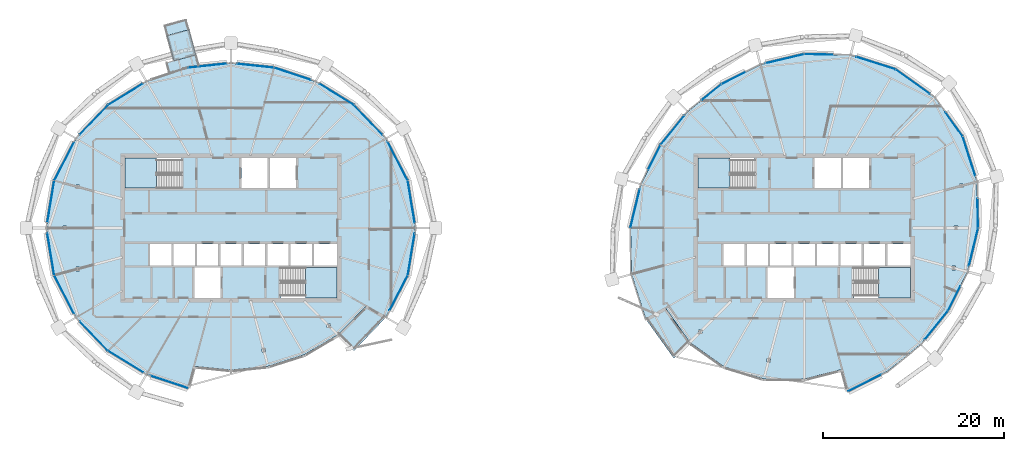
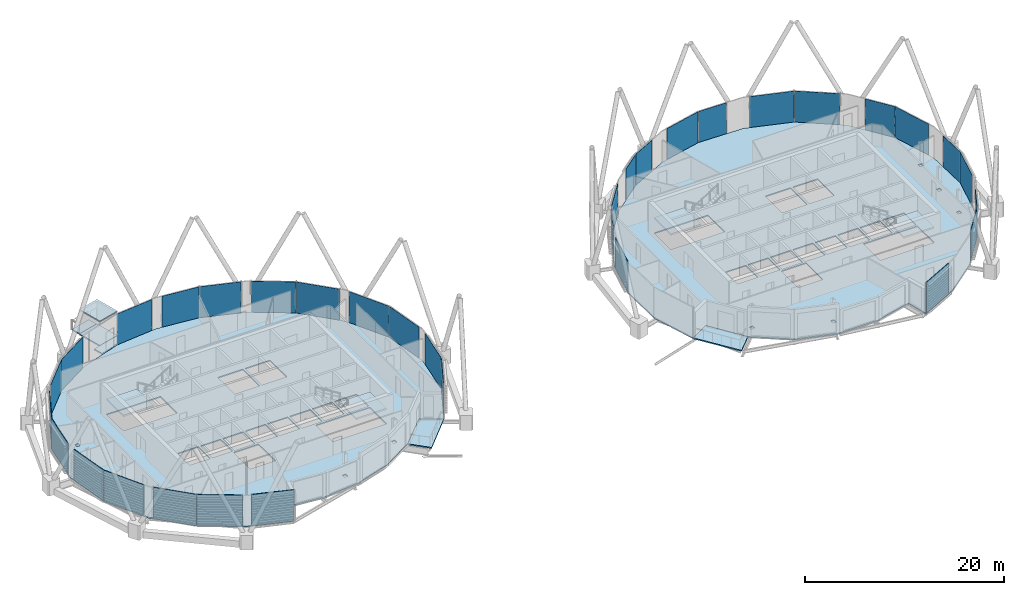
# One storey, part 18 of 32: 34 plates, 12 slabs, 6 elements without a shape of their own.
"""IFC4 building model written with IfcOpenShell, lengths in metres."""

import ifcopenshell
import ifcopenshell.guid

model = None  # the IFC model being written
_history = None  # IfcOwnerHistory: only IFC2X3 demands one
_inside = {}  # id of a spatial element -> (the spatial element, [elements in it])
_under = {}  # id of a project, library or spatial element -> (it, [spatial elements below it])
_declared = {}  # id of a project -> (the project, [libraries it declares])
_typed = {}  # id of a type object -> (the type object, [elements of that type])
_made_of = {}  # id of a material, layer set ... -> (it, [elements and type objects made of it])


def new_model(schema):
    """Start an empty IFC model of exactly this schema.

    Asked for "IFC4X3", IfcOpenShell would pick the latest addendum, in which some entities
    have other attributes; the version numbers below select the first issue.
    IFC2X3 requires an IfcOwnerHistory on every rooted entity: one is made here for all.
    """
    global model, _history
    if schema == "IFC4X3":
        model = ifcopenshell.file(schema_version=(4, 3, 0, 0))
    else:
        model = ifcopenshell.file(schema=schema)
    _inside.clear()
    _under.clear()
    _declared.clear()
    _typed.clear()
    _made_of.clear()
    _history = None
    if model.schema == "IFC2X3":
        org = make("IfcOrganization", Name="unknown")
        user = make(
            "IfcPersonAndOrganization",
            ThePerson=make("IfcPerson", FamilyName="unknown"),
            TheOrganization=org,
        )
        app = make(
            "IfcApplication",
            ApplicationDeveloper=org,
            Version="unknown",
            ApplicationFullName="unknown",
            ApplicationIdentifier="unknown",
        )
        _history = make(
            "IfcOwnerHistory",
            OwningUser=user,
            OwningApplication=app,
            ChangeAction="ADDED",
            CreationDate=0,
        )
    return model


def make(cls, **values):
    """One entity of the class cls with the attributes given. An attribute that is None is left unset."""
    return model.create_entity(
        cls, **{name: value for name, value in values.items() if value is not None}
    )


def rooted(cls, **values):
    """An entity with a GlobalId (a new one), such as an element, a storey or a relation."""
    return make(cls, GlobalId=ifcopenshell.guid.new(), OwnerHistory=_history, **values)


def si_unit(unit_type, name, prefix=None):
    """IfcSIUnit, for example si_unit("LENGTHUNIT", "METRE", prefix="MILLI")."""
    return make("IfcSIUnit", UnitType=unit_type, Prefix=prefix, Name=name)


def assignment(units):
    """IfcUnitAssignment: the units of a project."""
    return None if units is None else make("IfcUnitAssignment", Units=units)


def point(xyz):
    """IfcCartesianPoint."""
    return None if xyz is None else make("IfcCartesianPoint", Coordinates=xyz)


def direction(xyz):
    """IfcDirection."""
    return None if xyz is None else make("IfcDirection", DirectionRatios=xyz)


def frame(location, z_axis=None, x_axis=None):
    """IfcAxis2Placement3D, a coordinate frame: its origin and axes. An axis left out is left unset."""
    return make(
        "IfcAxis2Placement3D",
        Location=point(location),
        Axis=direction(z_axis),
        RefDirection=direction(x_axis),
    )


def frame_2d(location, x_axis=None):
    """IfcAxis2Placement2D, a coordinate frame in the plane: its origin and x axis."""
    return make(
        "IfcAxis2Placement2D", Location=point(location), RefDirection=direction(x_axis)
    )


def origin():
    """The frame at (0, 0, 0) with its axes left unset."""
    return frame((0.0, 0.0, 0.0))


def origin_2d():
    """The frame at (0, 0) in the plane with its x axis left unset."""
    return frame_2d((0.0, 0.0))


def place(relative_to, where):
    """IfcLocalPlacement: puts the frame where relative to a parent placement (None: the world)."""
    return make(
        "IfcLocalPlacement", PlacementRelTo=relative_to, RelativePlacement=where
    )


def context(
    kind, dimensions, precision=None, world=None, true_north=None, identifier=None
):
    """IfcGeometricRepresentationContext, for example the 3D "Model" context."""
    return make(
        "IfcGeometricRepresentationContext",
        ContextIdentifier=identifier,
        ContextType=kind,
        CoordinateSpaceDimension=dimensions,
        Precision=precision,
        WorldCoordinateSystem=world,
        TrueNorth=true_north,
    )


def subcontext(parent, identifier, kind, view, scale=None):
    """IfcGeometricRepresentationSubContext, for example "Body" below "Model"."""
    return make(
        "IfcGeometricRepresentationSubContext",
        ContextIdentifier=identifier,
        ContextType=kind,
        ParentContext=parent,
        TargetScale=scale,
        TargetView=view,
    )


def project(units=None, contexts=None):
    """IfcProject with its units and contexts."""
    return rooted(
        "IfcProject",
        Name="project",
        RepresentationContexts=contexts,
        UnitsInContext=assignment(units),
    )


def spatial(cls, under=None, at=None, **own):
    """A site, building, storey or space (cls), placed at a placement, below another one or the project."""
    s = rooted(cls, ObjectPlacement=at, **own)
    if under is not None:
        _under.setdefault(under.id(), (under, []))[1].append(s)
    return s


def polyline(points):
    """IfcPolyline through the points."""
    return make("IfcPolyline", Points=[point(p) for p in points])


def profile(cls, at=None, kind="AREA", **sizes):
    """A parametric profile (cls). Its sizes go by their IFC names, for example OverallWidth=200.0."""
    return make(cls, ProfileType=kind, Position=at, **sizes)


def rectangle(**sizes):
    """IfcRectangleProfileDef."""
    return profile("IfcRectangleProfileDef", **sizes)


def outline(outer, holes=None, kind="AREA"):
    """IfcArbitraryClosedProfileDef: a profile drawn as a closed curve; with holes, ...WithVoids."""
    if holes is None:
        return make("IfcArbitraryClosedProfileDef", ProfileType=kind, OuterCurve=outer)
    return make(
        "IfcArbitraryProfileDefWithVoids",
        ProfileType=kind,
        OuterCurve=outer,
        InnerCurves=holes,
    )


def extrude(swept, where, along, depth):
    """IfcExtrudedAreaSolid: the profile swept, set in the frame where, extruded along a direction by depth."""
    return make(
        "IfcExtrudedAreaSolid",
        SweptArea=swept,
        Position=where,
        ExtrudedDirection=direction(along),
        Depth=depth,
    )


def shape(context_of_items, identifier, shape_type, items):
    """IfcShapeRepresentation: the items that make up one representation, for example the "Body"."""
    return make(
        "IfcShapeRepresentation",
        ContextOfItems=context_of_items,
        RepresentationIdentifier=identifier,
        RepresentationType=shape_type,
        Items=items,
    )


def material(Name=None, Category=None):
    """IfcMaterial."""
    return make("IfcMaterial", Name=Name, Category=Category)


def layer(
    of_material, thickness, ventilated=None, Name=None, Category=None, Priority=None
):
    """IfcMaterialLayer: one layer of a wall or slab, of a material (None: an air gap)."""
    return make(
        "IfcMaterialLayer",
        Material=of_material,
        LayerThickness=thickness,
        IsVentilated=ventilated,
        Name=Name,
        Category=Category,
        Priority=Priority,
    )


def layer_set(layers, Name=None):
    """IfcMaterialLayerSet."""
    return make("IfcMaterialLayerSet", MaterialLayers=layers, LayerSetName=Name)


def made_of(thing, what):
    """Note that an element or type object is made of a material, layer set ...; save() writes the relation."""
    if what is not None:
        _made_of.setdefault(what.id(), (what, []))[1].append(thing)
    return thing


def type_object(cls, material=None, **own):
    """A type object (cls), such as IfcWallType, which elements share."""
    return made_of(rooted(cls, **own), material)


def element(
    cls,
    number,
    at=None,
    inside=None,
    cuts=None,
    type_object=None,
    material=None,
    context=None,
    identifier="Body",
    shape_type=None,
    held_by="IfcProductDefinitionShape",
    body=None,
    shapes=None,
    **own,
):
    """One element of the class cls, such as IfcWall. Its Tag is "e" and its number.

    at: its placement. inside: the storey or other place that contains it. cuts: it is an
    opening in that element (IfcRelVoidsElement). A single representation is given by context,
    identifier, shape_type and body (its items); several are given by shapes. held_by: the class
    of the entity that holds the representations. save() writes the other relations.
    """
    e = rooted(cls, Tag="e%d" % number, ObjectPlacement=at, **own)
    if body is not None:
        shapes = [shape(context, identifier, shape_type, body)]
    if shapes is not None:
        e.Representation = make(held_by, Representations=shapes)
    if inside is not None:
        _inside.setdefault(inside.id(), (inside, []))[1].append(e)
    if cuts is not None:
        rooted(
            "IfcRelVoidsElement", RelatingBuildingElement=cuts, RelatedOpeningElement=e
        )
    if type_object is not None:
        _typed.setdefault(type_object.id(), (type_object, []))[1].append(e)
    return made_of(e, material)


def aggregate(whole, parts):
    """IfcRelAggregates: a whole, such as a stair, and the parts it consists of."""
    return rooted("IfcRelAggregates", RelatingObject=whole, RelatedObjects=parts)


def save(model, path):
    """Write the relations noted so far, then the file.

    IfcRelAggregates (storeys below a building ...), IfcRelContainedInSpatialStructure (elements
    in a storey), IfcRelDefinesByType, IfcRelAssociatesMaterial and IfcRelDeclares: one each for
    every whole, place, type object, material and project.
    """
    for whole, parts in _under.values():
        aggregate(whole, parts)
    for where, things in _inside.values():
        rooted(
            "IfcRelContainedInSpatialStructure",
            RelatedElements=things,
            RelatingStructure=where,
        )
    for kind, things in _typed.values():
        rooted("IfcRelDefinesByType", RelatedObjects=things, RelatingType=kind)
    for what, things in _made_of.values():
        rooted("IfcRelAssociatesMaterial", RelatedObjects=things, RelatingMaterial=what)
    for by, libraries in _declared.values():
        rooted("IfcRelDeclares", RelatingContext=by, RelatedDefinitions=libraries)
    model.write(path)


model = new_model("IFC4")

# Units and contexts
model_context = context("Model", 3, precision=1e-05, world=origin(), true_north=direction((0.0, 1.0)))
body_context = subcontext(model_context, "Body", "Model", "MODEL_VIEW")
ifc_project = project(units=[si_unit("LENGTHUNIT", "METRE"), si_unit("AREAUNIT", "SQUARE_METRE"), si_unit("VOLUMEUNIT", "CUBIC_METRE"), si_unit("PLANEANGLEUNIT", "RADIAN"), si_unit("MASSUNIT", "GRAM", prefix="KILO")], contexts=[model_context])

# Site, building, storey
site_placement = place(None, origin())
site = spatial("IfcSite", under=ifc_project, at=site_placement, CompositionType="ELEMENT")
building_placement = place(site_placement, origin())
building = spatial("IfcBuilding", under=site, at=building_placement, Name="Rimbun Link Towers", CompositionType="ELEMENT")
storey_placement = place(building_placement, frame((0.0, 0.0, 233.300048828125)))
storey = spatial("IfcBuildingStorey", under=building, at=storey_placement, Name="L57", CompositionType="ELEMENT", Elevation=233.300048828125)

# Slabs
ifc_material_1 = material(Name="Insulated metal floor panel on steel frame", Category="steel")
ifc_layer_1 = layer(ifc_material_1, 0.159912109375)
ifc_layer_set_1 = layer_set([ifc_layer_1], Name="CAPSULE balcony panel 160")
slab_type_1 = type_object("IfcSlabType", Name="CAPSULE balcony panel 160", PredefinedType="FLOOR", material=ifc_layer_set_1)
slab_1_placement = place(storey_placement, frame((0.0, 0.0, -0.16015625)))
element("IfcSlab", 1, at=slab_1_placement, inside=storey, type_object=slab_type_1, Name="CAPSULE D571.01 balcony floor", PredefinedType="FLOOR", context=body_context, shape_type="SweptSolid", body=[
    extrude(outline(polyline([(-36.75, 23.0146484375), (-39.06640625, 22.38623046875), (-38.7783203125, 21.32470703125), (-36.462158203125, 21.953125), (-36.75, 23.0146484375)])), origin(), (0.0, 0.0, 1.0), 0.16015625),
])
slab_2_placement = place(storey_placement, frame((0.0, 0.0, -0.16015625)))
element("IfcSlab", 2, at=slab_2_placement, inside=storey, type_object=slab_type_1, Name="CAPSULE D571 gallery floor", PredefinedType="FLOOR", context=body_context, shape_type="SweptSolid", body=[
    extrude(outline(polyline([(-38.2822265625, 17.251953125), (-36.915283203125, 17.704833984375), (-36.930908203125, 17.752197265625), (-36.5341796875, 17.8837890625), (-35.34033203125, 18.009521484375), (-35.654541015625, 19.167236328125), (-38.871337890625, 18.294677734375), (-38.576171875, 17.20703125), (-38.2978515625, 17.29931640625), (-38.2822265625, 17.251953125)])), origin(), (0.0, 0.0, 1.0), 0.16015625),
])
ifc_material_2 = material(Name="Insulated metal floor panel on steel frame", Category="steel")
ifc_layer_2 = layer(ifc_material_2, 0.159912109375)
ifc_layer_set_2 = layer_set([ifc_layer_2], Name="CAPSULE floor panel 160")
slab_type_2 = type_object("IfcSlabType", Name="CAPSULE floor panel 160", PredefinedType="FLOOR", material=ifc_layer_set_2)
slab_3_placement = place(storey_placement, frame((0.0, 0.0, -0.16015625)))
element("IfcSlab", 3, at=slab_3_placement, inside=storey, type_object=slab_type_2, Name="CAPSULE D571.01 floor panel", PredefinedType="FLOOR", context=body_context, shape_type="SweptSolid", body=[
    extrude(outline(polyline([(-36.413818359375, 21.966064453125), (-38.82666015625, 21.3115234375), (-38.0673828125, 18.5126953125), (-35.654541015625, 19.167236328125), (-36.413818359375, 21.966064453125)])), origin(), (0.0, 0.0, 1.0), 0.16015625),
])
ifc_material_3 = material(Name="Insulated metal roof panel with terracotta fascia", Category="masonry")
ifc_layer_3 = layer(ifc_material_3, 0.14990234375)
ifc_layer_set_3 = layer_set([ifc_layer_3], Name="CAPSULE roof panel 150")
slab_type_3 = type_object("IfcSlabType", Name="CAPSULE roof panel 150", PredefinedType="ROOF", material=ifc_layer_set_3)
slab_4_placement = place(storey_placement, frame((0.0, 0.0, 2.849853515625)))
element("IfcSlab", 4, at=slab_4_placement, inside=storey, type_object=slab_type_3, Name="CAPSULE D571.01 roof panel", PredefinedType="ROOF", context=body_context, shape_type="SweptSolid", body=[
    extrude(outline(polyline([(-36.413818359375, 21.966064453125), (-38.82666015625, 21.3115234375), (-38.0673828125, 18.5126953125), (-35.654541015625, 19.167236328125), (-36.413818359375, 21.966064453125)])), origin(), (0.0, 0.0, 1.0), 0.150146484375),
])
ifc_material_4 = material(Name="Concrete C35/45", Category="concrete")
ifc_layer_4 = layer(ifc_material_4, 0.139892578125)
ifc_layer_set_4 = layer_set([ifc_layer_4], Name="COMPOSITE FLOOR 140")
slab_type_4 = type_object("IfcSlabType", Name="COMPOSITE FLOOR 140", PredefinedType="FLOOR", material=ifc_layer_set_4)
slab_5_placement = place(storey_placement, frame((0.0, 0.0, -0.14013671875)))
element("IfcSlab", 5, at=slab_5_placement, inside=storey, type_object=slab_type_4, Name="Floor slab T1 L57", PredefinedType="FLOOR", context=body_context, shape_type="SweptSolid", body=[
    extrude(outline(polyline([(-41.108642578125, -16.209716796875), (-45.353515625, -13.603515625), (-48.901611328125, -9.902587890625), (-51.313232421875, -5.241943359375), (-52.17529296875, 0.0), (-51.313232421875, 5.241943359375), (-48.901611328125, 9.902587890625), (-45.353515625, 13.603515625), (-41.108642578125, 16.209716796875), (-36.50244140625, 17.736328125), (-31.75, 18.23681640625), (-26.99755859375, 17.736328125), (-22.391357421875, 16.209716796875), (-18.146484375, 13.603515625), (-14.598388671875, 9.902587890625), (-12.186767578125, 5.241943359375), (-11.32470703125, 0.0), (-12.186767578125, -5.241943359375), (-14.598388671875, -9.902587890625), (-16.76318359375, -8.652587890625), (-19.914306640625, -11.835693359375), (-23.641357421875, -14.044677734375), (-27.64453125, -15.321533203125), (-31.75, -15.73681640625), (-35.85546875, -15.321533203125), (-36.50244140625, -17.736328125), (-41.108642578125, -16.209716796875)]), holes=[polyline([(-32.89990234375, -7.75), (-32.89990234375, -4.39990234375), (-35.800048828125, -4.39990234375), (-35.800048828125, -7.75), (-32.89990234375, -7.75)]), polyline([(-48.52392578125, -4.744873046875), (-48.52392578125, -4.351318359375), (-48.9228515625, -4.351318359375), (-48.9228515625, -4.744873046875), (-48.52392578125, -4.744873046875)]), polyline([(-38.361083984375, -4.14990234375), (-38.361083984375, -1.75), (-40.70556640625, -1.75), (-40.70556640625, -4.14990234375), (-38.361083984375, -4.14990234375)]), polyline([(-35.7666015625, -4.14990234375), (-35.7666015625, -1.75), (-38.111083984375, -1.75), (-38.111083984375, -4.14990234375), (-35.7666015625, -4.14990234375)]), polyline([(-33.172119140625, -4.14990234375), (-33.172119140625, -1.75), (-35.5166015625, -1.75), (-35.5166015625, -4.14990234375), (-33.172119140625, -4.14990234375)]), polyline([(-30.577880859375, -4.14990234375), (-30.577880859375, -1.75), (-32.922119140625, -1.75), (-32.922119140625, -4.14990234375), (-30.577880859375, -4.14990234375)]), polyline([(-49.9482421875, -0.19677734375), (-49.9482421875, 0.19677734375), (-50.34716796875, 0.19677734375), (-50.34716796875, -0.19677734375), (-49.9482421875, -0.19677734375)]), polyline([(-48.9228515625, 4.351318359375), (-48.52392578125, 4.351318359375), (-48.52392578125, 4.744873046875), (-48.9228515625, 4.744873046875), (-48.9228515625, 4.351318359375)]), polyline([(-43.5, 4.39990234375), (-37.260009765625, 4.39990234375), (-37.260009765625, 7.75), (-43.5, 7.75), (-43.5, 4.39990234375)]), polyline([(-27.924072265625, -13.730712890625), (-27.924072265625, -13.337158203125), (-28.322998046875, -13.337158203125), (-28.322998046875, -13.730712890625), (-27.924072265625, -13.730712890625)]), polyline([(-20.7060546875, -11.041259765625), (-20.7060546875, -10.647705078125), (-21.10498046875, -10.647705078125), (-21.10498046875, -11.041259765625), (-20.7060546875, -11.041259765625)]), polyline([(-20.0, -7.75), (-20.0, -4.39990234375), (-26.239990234375, -4.39990234375), (-26.239990234375, -7.75), (-20.0, -7.75)]), polyline([(-27.9833984375, -4.14990234375), (-27.9833984375, -1.75), (-30.327880859375, -1.75), (-30.327880859375, -4.14990234375), (-27.9833984375, -4.14990234375)]), polyline([(-25.388916015625, -4.14990234375), (-25.388916015625, -1.75), (-27.7333984375, -1.75), (-27.7333984375, -4.14990234375), (-25.388916015625, -4.14990234375)]), polyline([(-22.79443359375, -4.14990234375), (-22.79443359375, -1.75), (-25.138916015625, -1.75), (-25.138916015625, -4.14990234375), (-22.79443359375, -4.14990234375)]), polyline([(-20.0, -4.14990234375), (-20.0, -1.75), (-22.54443359375, -1.75), (-22.54443359375, -4.14990234375), (-20.0, -4.14990234375)]), polyline([(-30.60009765625, 4.39990234375), (-27.699951171875, 4.39990234375), (-27.699951171875, 7.75), (-30.60009765625, 7.75), (-30.60009765625, 4.39990234375)]), polyline([(-27.449951171875, 4.39990234375), (-24.550048828125, 4.39990234375), (-24.550048828125, 7.75), (-27.449951171875, 7.75), (-27.449951171875, 4.39990234375)])]), origin(), (0.0, 0.0, 1.0), 0.14013671875),
])
slab_6_placement = place(storey_placement, frame((0.0, 0.0, -0.14013671875)))
element("IfcSlab", 6, at=slab_6_placement, inside=storey, type_object=slab_type_4, Name="Floor slab T2 L57", PredefinedType="FLOOR", context=body_context, shape_type="SweptSolid", body=[
    extrude(outline(polyline([(12.61962890625, -5.1259765625), (12.51171875, 0.0), (13.67041015625, 4.844482421875), (15.84814453125, 9.180908203125), (18.8544921875, 12.8955078125), (22.569091796875, 15.90185546875), (26.905517578125, 18.07958984375), (31.75, 19.23828125), (36.8759765625, 19.13037109375), (41.876708984375, 17.539794921875), (46.19287109375, 14.44287109375), (49.289794921875, 10.126708984375), (50.88037109375, 5.1259765625), (50.98828125, 0.0), (49.82958984375, -4.844482421875), (47.65185546875, -9.180908203125), (44.6455078125, -12.8955078125), (40.930908203125, -15.90185546875), (36.594482421875, -18.07958984375), (35.947509765625, -15.664794921875), (31.75, -16.73828125), (27.27099609375, -16.71533203125), (22.873291015625, -15.375), (19.074951171875, -12.675048828125), (16.375, -8.876708984375), (14.210205078125, -10.126708984375), (12.61962890625, -5.1259765625)]), holes=[polyline([(28.025390625, -14.841796875), (28.025390625, -14.4482421875), (27.62646484375, -14.4482421875), (27.62646484375, -14.841796875), (28.025390625, -14.841796875)]), polyline([(20.43115234375, -11.715087890625), (20.43115234375, -11.321533203125), (20.031982421875, -11.321533203125), (20.031982421875, -11.715087890625), (20.43115234375, -11.715087890625)]), polyline([(30.60009765625, -7.75), (30.60009765625, -4.39990234375), (27.699951171875, -4.39990234375), (27.699951171875, -7.75), (30.60009765625, -7.75)]), polyline([(25.138916015625, -4.14990234375), (25.138916015625, -1.75), (22.79443359375, -1.75), (22.79443359375, -4.14990234375), (25.138916015625, -4.14990234375)]), polyline([(27.7333984375, -4.14990234375), (27.7333984375, -1.75), (25.388916015625, -1.75), (25.388916015625, -4.14990234375), (27.7333984375, -4.14990234375)]), polyline([(30.327880859375, -4.14990234375), (30.327880859375, -1.75), (27.9833984375, -1.75), (27.9833984375, -4.14990234375), (30.327880859375, -4.14990234375)]), polyline([(32.922119140625, -4.14990234375), (32.922119140625, -1.75), (30.577880859375, -1.75), (30.577880859375, -4.14990234375), (32.922119140625, -4.14990234375)]), polyline([(33.172119140625, -4.14990234375), (35.5166015625, -4.14990234375), (35.5166015625, -1.75), (33.172119140625, -1.75), (33.172119140625, -4.14990234375)]), polyline([(20.0, 4.39990234375), (26.239990234375, 4.39990234375), (26.239990234375, 7.75), (20.0, 7.75), (20.0, 4.39990234375)]), polyline([(43.5, -7.75), (43.5, -4.39990234375), (37.260009765625, -4.39990234375), (37.260009765625, -7.75), (43.5, -7.75)]), polyline([(48.488525390625, -4.62841796875), (48.488525390625, -4.23486328125), (48.089599609375, -4.23486328125), (48.089599609375, -4.62841796875), (48.488525390625, -4.62841796875)]), polyline([(38.111083984375, -4.14990234375), (38.111083984375, -1.75), (35.7666015625, -1.75), (35.7666015625, -4.14990234375), (38.111083984375, -4.14990234375)]), polyline([(40.70556640625, -4.14990234375), (40.70556640625, -1.75), (38.361083984375, -1.75), (38.361083984375, -4.14990234375), (40.70556640625, -4.14990234375)]), polyline([(43.5, -4.14990234375), (43.5, -1.75), (40.95556640625, -1.75), (40.95556640625, -4.14990234375), (43.5, -4.14990234375)]), polyline([(48.760009765625, -0.19677734375), (48.760009765625, 0.19677734375), (48.36083984375, 0.19677734375), (48.36083984375, -0.19677734375), (48.760009765625, -0.19677734375)]), polyline([(49.327392578125, 4.459716796875), (49.327392578125, 4.853271484375), (48.92822265625, 4.853271484375), (48.92822265625, 4.459716796875), (49.327392578125, 4.459716796875)]), polyline([(32.89990234375, 4.39990234375), (35.800048828125, 4.39990234375), (35.800048828125, 7.75), (32.89990234375, 7.75), (32.89990234375, 4.39990234375)]), polyline([(36.050048828125, 4.39990234375), (38.949951171875, 4.39990234375), (38.949951171875, 7.75), (36.050048828125, 7.75), (36.050048828125, 4.39990234375)])]), origin(), (0.0, 0.0, 1.0), 0.14013671875),
])

# Curtain wall, plates
ifc_material_5 = material(Name="Aluminium 6063-T6 and low-iron glass", Category="aluminium")
curtain_wall_type = type_object("IfcCurtainWallType", Name="CW1-Z4 unitised vision wall (zone 4)", PredefinedType="NOTDEFINED", material=ifc_material_5)
curtain_wall_1_placement = place(storey_placement, origin())
curtain_wall_1 = element("IfcCurtainWall", 7, at=curtain_wall_1_placement, inside=storey, type_object=curtain_wall_type, Name="CW1 L57 T1", PredefinedType="NOTDEFINED")
ifc_material_6 = material(Name="Low-iron glass, laminated low-e unit", Category="glass")
ifc_layer_5 = layer(ifc_material_6, 0.028076171875)
ifc_layer_set_5 = layer_set([ifc_layer_5], Name="CW1 panel Low-iron glass 28")
plate_type = type_object("IfcPlateType", Name="CW1 panel Low-iron glass 28", PredefinedType="CURTAIN_PANEL", material=ifc_layer_set_5)
plate_1_placement = place(storey_placement, frame((-11.78662109375, 2.89453125, 0.0), z_axis=(0.0, 0.0, 1.0), x_axis=(0.162261836936, -0.986747736898, 0.0)))
plate_1 = element("IfcPlate", 8, at=plate_1_placement, type_object=plate_type, Name="CW1 panel", PredefinedType="CURTAIN_PANEL", context=body_context, shape_type="SweptSolid", body=[
    extrude(rectangle(XDim=4.722412109375, YDim=0.028076171875, at=origin_2d()), origin(), (0.0, 0.0, 1.0), 3.800048828125),
])
plate_2_placement = place(storey_placement, frame((-13.276611328125, 7.37890625, 0.0), z_axis=(0.0, 0.0, 1.0), x_axis=(0.459549928391, -0.888151937067, 0.0)))
plate_2 = element("IfcPlate", 9, at=plate_2_placement, type_object=plate_type, Name="CW1 panel", PredefinedType="CURTAIN_PANEL", context=body_context, shape_type="SweptSolid", body=[
    extrude(rectangle(XDim=4.757568359375, YDim=0.028076171875, at=origin_2d()), origin(), (0.0, 0.0, 1.0), 3.800048828125),
])
plate_3_placement = place(storey_placement, frame((-16.552490234375, 11.961181640625, 0.0), z_axis=(0.0, 0.0, 1.0), x_axis=(0.692058277025, -0.721841631662, 0.0)))
plate_3 = element("IfcPlate", 10, at=plate_3_placement, type_object=plate_type, Name="CW1 panel", PredefinedType="CURTAIN_PANEL", context=body_context, shape_type="SweptSolid", body=[
    extrude(rectangle(XDim=4.537109375, YDim=0.028076171875, at=origin_2d()), origin(), (0.0, 0.0, 1.0), 3.800048828125),
])
plate_4_placement = place(storey_placement, frame((-20.06982421875, 14.80078125, 0.0), z_axis=(0.0, 0.0, 1.0), x_axis=(0.852185203214, -0.523240269306, 0.0)))
plate_4 = element("IfcPlate", 11, at=plate_4_placement, type_object=plate_type, Name="CW1 panel", PredefinedType="CURTAIN_PANEL", context=body_context, shape_type="SweptSolid", body=[
    extrude(rectangle(XDim=4.490966796875, YDim=0.028076171875, at=origin_2d()), origin(), (0.0, 0.0, 1.0), 3.800048828125),
])
plate_5_placement = place(storey_placement, frame((-24.951171875, 17.07275390625, 0.0), z_axis=(0.0, 0.0, 1.0), x_axis=(0.949234126945, -0.314570456722, 0.0)))
plate_5 = element("IfcPlate", 12, at=plate_5_placement, type_object=plate_type, Name="CW1 panel", PredefinedType="CURTAIN_PANEL", context=body_context, shape_type="SweptSolid", body=[
    extrude(rectangle(XDim=4.2626953125, YDim=0.028076171875, at=origin_2d()), origin(), (0.0, 0.0, 1.0), 3.800048828125),
])
plate_6_placement = place(storey_placement, frame((-29.049072265625, 17.966552734375, 0.0), z_axis=(0.0, 0.0, 1.0), x_axis=(0.994500062373, -0.104735982072, 0.0)))
plate_6 = element("IfcPlate", 13, at=plate_6_placement, type_object=plate_type, Name="CW1 panel", PredefinedType="CURTAIN_PANEL", context=body_context, shape_type="SweptSolid", body=[
    extrude(rectangle(XDim=4.088623046875, YDim=0.028076171875, at=origin_2d()), origin(), (0.0, 0.0, 1.0), 3.800048828125),
])
plate_7_placement = place(storey_placement, frame((-34.351318359375, 17.976806640625, 0.0), z_axis=(0.0, 0.0, 1.0), x_axis=(0.994500062373, 0.104735982072, 0.0)))
plate_7 = element("IfcPlate", 14, at=plate_7_placement, type_object=plate_type, Name="CW1 panel", PredefinedType="CURTAIN_PANEL", context=body_context, shape_type="SweptSolid", body=[
    extrude(rectangle(XDim=4.28857421875, YDim=0.028076171875, at=origin_2d()), origin(), (0.0, 0.0, 1.0), 3.800048828125),
])
plate_8_placement = place(storey_placement, frame((-43.43017578125, 14.80078125, 0.0), z_axis=(0.0, 0.0, 1.0), x_axis=(0.852185203214, 0.523240269306, 0.0)))
plate_8 = element("IfcPlate", 15, at=plate_8_placement, type_object=plate_type, Name="CW1 panel", PredefinedType="CURTAIN_PANEL", context=body_context, shape_type="SweptSolid", body=[
    extrude(rectangle(XDim=4.490966796875, YDim=0.028076171875, at=origin_2d()), origin(), (0.0, 0.0, 1.0), 3.800048828125),
])
plate_9_placement = place(storey_placement, frame((-46.947509765625, 11.961181640625, 0.0), z_axis=(0.0, 0.0, 1.0), x_axis=(0.692058277025, 0.721841631662, 0.0)))
plate_9 = element("IfcPlate", 16, at=plate_9_placement, type_object=plate_type, Name="CW1 panel", PredefinedType="CURTAIN_PANEL", context=body_context, shape_type="SweptSolid", body=[
    extrude(rectangle(XDim=4.537109375, YDim=0.028076171875, at=origin_2d()), origin(), (0.0, 0.0, 1.0), 3.800048828125),
])
plate_10_placement = place(storey_placement, frame((-50.223388671875, 7.37890625, 0.0), z_axis=(0.0, 0.0, 1.0), x_axis=(0.459549928391, 0.888151937067, 0.0)))
plate_10 = element("IfcPlate", 17, at=plate_10_placement, type_object=plate_type, Name="CW1 panel", PredefinedType="CURTAIN_PANEL", context=body_context, shape_type="SweptSolid", body=[
    extrude(rectangle(XDim=4.757568359375, YDim=0.028076171875, at=origin_2d()), origin(), (0.0, 0.0, 1.0), 3.800048828125),
])
plate_11_placement = place(storey_placement, frame((-51.709228515625, 2.919189453125, 0.0), z_axis=(0.0, 0.0, 1.0), x_axis=(0.162261836936, 0.986747736898, 0.0)))
plate_11 = element("IfcPlate", 18, at=plate_11_placement, type_object=plate_type, Name="CW1 panel", PredefinedType="CURTAIN_PANEL", context=body_context, shape_type="SweptSolid", body=[
    extrude(rectangle(XDim=4.67236328125, YDim=0.028076171875, at=origin_2d()), origin(), (0.0, 0.0, 1.0), 3.800048828125),
])
plate_12_placement = place(storey_placement, frame((-51.71337890625, -2.89453125, 0.0), z_axis=(0.0, 0.0, 1.0), x_axis=(-0.162261836936, 0.986747736898, 0.0)))
plate_12 = element("IfcPlate", 19, at=plate_12_placement, type_object=plate_type, Name="CW1 panel", PredefinedType="CURTAIN_PANEL", context=body_context, shape_type="SweptSolid", body=[
    extrude(rectangle(XDim=4.722412109375, YDim=0.028076171875, at=origin_2d()), origin(), (0.0, 0.0, 1.0), 3.800048828125),
])
plate_13_placement = place(storey_placement, frame((-50.223388671875, -7.37890625, 0.0), z_axis=(0.0, 0.0, 1.0), x_axis=(-0.459549928391, 0.888151937067, 0.0)))
plate_13 = element("IfcPlate", 20, at=plate_13_placement, type_object=plate_type, Name="CW1 panel", PredefinedType="CURTAIN_PANEL", context=body_context, shape_type="SweptSolid", body=[
    extrude(rectangle(XDim=4.757568359375, YDim=0.028076171875, at=origin_2d()), origin(), (0.0, 0.0, 1.0), 3.800048828125),
])
plate_14_placement = place(storey_placement, frame((-46.947509765625, -11.961181640625, 0.0), z_axis=(0.0, 0.0, 1.0), x_axis=(-0.692058277025, 0.721841631662, 0.0)))
plate_14 = element("IfcPlate", 21, at=plate_14_placement, type_object=plate_type, Name="CW1 panel", PredefinedType="CURTAIN_PANEL", context=body_context, shape_type="SweptSolid", body=[
    extrude(rectangle(XDim=4.537109375, YDim=0.028076171875, at=origin_2d()), origin(), (0.0, 0.0, 1.0), 3.800048828125),
])
plate_15_placement = place(storey_placement, frame((-43.408935546875, -14.81396484375, 0.0), z_axis=(0.0, 0.0, 1.0), x_axis=(-0.852185203214, 0.523240269306, 0.0)))
plate_15 = element("IfcPlate", 22, at=plate_15_placement, type_object=plate_type, Name="CW1 panel", PredefinedType="CURTAIN_PANEL", context=body_context, shape_type="SweptSolid", body=[
    extrude(rectangle(XDim=4.541015625, YDim=0.028076171875, at=origin_2d()), origin(), (0.0, 0.0, 1.0), 3.800048828125),
])
plate_16_placement = place(storey_placement, frame((-38.57275390625, -17.06494140625, 0.0), z_axis=(0.0, 0.0, 1.0), x_axis=(-0.949234126945, 0.314570456722, 0.0)))
plate_16 = element("IfcPlate", 23, at=plate_16_placement, type_object=plate_type, Name="CW1 panel", PredefinedType="CURTAIN_PANEL", context=body_context, shape_type="SweptSolid", body=[
    extrude(rectangle(XDim=4.312744140625, YDim=0.028076171875, at=origin_2d()), origin(), (0.0, 0.0, 1.0), 3.800048828125),
])
plate_17_placement = place(storey_placement, frame((-13.184814453125, -7.201171875, 0.0), z_axis=(0.0, 0.0, 1.0), x_axis=(-0.459549928391, -0.888151937067, 0.0)))
plate_17 = element("IfcPlate", 24, at=plate_17_placement, type_object=plate_type, Name="CW1 panel", PredefinedType="CURTAIN_PANEL", context=body_context, shape_type="SweptSolid", body=[
    extrude(rectangle(XDim=4.357421875, YDim=0.028076171875, at=origin_2d()), origin(), (0.0, 0.0, 1.0), 3.800048828125),
])
plate_18_placement = place(storey_placement, frame((-11.794677734375, -2.94384765625, 0.0), z_axis=(0.0, 0.0, 1.0), x_axis=(-0.162261836936, -0.986747736898, 0.0)))
plate_18 = element("IfcPlate", 25, at=plate_18_placement, type_object=plate_type, Name="CW1 panel", PredefinedType="CURTAIN_PANEL", context=body_context, shape_type="SweptSolid", body=[
    extrude(rectangle(XDim=4.622314453125, YDim=0.028076171875, at=origin_2d()), origin(), (0.0, 0.0, 1.0), 3.800048828125),
])
aggregate(curtain_wall_1, [plate_1, plate_2, plate_3, plate_4, plate_5, plate_6, plate_7, plate_8, plate_9, plate_10, plate_11, plate_12, plate_13, plate_14, plate_15, plate_16, plate_17, plate_18])

curtain_wall_2_placement = place(storey_placement, origin())
curtain_wall_2 = element("IfcCurtainWall", 26, at=curtain_wall_2_placement, inside=storey, type_object=curtain_wall_type, Name="CW1 L57 T2", PredefinedType="NOTDEFINED")
plate_19_placement = place(storey_placement, frame((43.77880859375, 16.192138671875, 0.0), z_axis=(0.0, 0.0, 1.0), x_axis=(0.812469826089, -0.583003243297, 0.0)))
plate_19 = element("IfcPlate", 27, at=plate_19_placement, type_object=plate_type, Name="CW1 panel", PredefinedType="CURTAIN_PANEL", context=body_context, shape_type="SweptSolid", body=[
    extrude(rectangle(XDim=4.622314453125, YDim=0.028076171875, at=origin_2d()), origin(), (0.0, 0.0, 1.0), 3.800048828125),
])
plate_20_placement = place(storey_placement, frame((39.690185546875, 18.25, 0.0), z_axis=(0.0, 0.0, 1.0), x_axis=(0.952967816288, -0.303071511559, 0.0)))
plate_20 = element("IfcPlate", 28, at=plate_20_placement, type_object=plate_type, Name="CW1 panel", PredefinedType="CURTAIN_PANEL", context=body_context, shape_type="SweptSolid", body=[
    extrude(rectangle(XDim=4.5576171875, YDim=0.028076171875, at=origin_2d()), origin(), (0.0, 0.0, 1.0), 3.800048828125),
])
plate_21_placement = place(storey_placement, frame((33.363525390625, 19.21826171875, 0.0), z_axis=(0.0, 0.0, 1.0), x_axis=(0.999778112574, -0.021064795684, 0.0)))
plate_21 = element("IfcPlate", 29, at=plate_21_placement, type_object=plate_type, Name="CW1 panel", PredefinedType="CURTAIN_PANEL", context=body_context, shape_type="SweptSolid", body=[
    extrude(rectangle(XDim=3.18701171875, YDim=0.028076171875, at=origin_2d()), origin(), (0.0, 0.0, 1.0), 3.800048828125),
])
plate_22_placement = place(storey_placement, frame((29.6162109375, 18.742431640625, 0.0), z_axis=(0.0, 0.0, 1.0), x_axis=(0.972571783307, 0.23260293703, 0.0)))
plate_22 = element("IfcPlate", 30, at=plate_22_placement, type_object=plate_type, Name="CW1 panel", PredefinedType="CURTAIN_PANEL", context=body_context, shape_type="SweptSolid", body=[
    extrude(rectangle(XDim=4.341064453125, YDim=0.028076171875, at=origin_2d()), origin(), (0.0, 0.0, 1.0), 3.800048828125),
])
plate_23_placement = place(storey_placement, frame((23.904296875, 16.588134765625, 0.0), z_axis=(0.0, 0.0, 1.0), x_axis=(0.893642754219, 0.448779041213, 0.0)))
plate_23 = element("IfcPlate", 31, at=plate_23_placement, type_object=plate_type, Name="CW1 panel", PredefinedType="CURTAIN_PANEL", context=body_context, shape_type="SweptSolid", body=[
    extrude(rectangle(XDim=2.962646484375, YDim=0.028076171875, at=origin_2d()), origin(), (0.0, 0.0, 1.0), 3.800048828125),
])
plate_24_placement = place(storey_placement, frame((21.4609375, 15.02294921875, 0.0), z_axis=(0.0, 0.0, 1.0), x_axis=(0.777285317003, 0.629148262313, 0.0)))
plate_24 = element("IfcPlate", 32, at=plate_24_placement, type_object=plate_type, Name="CW1 panel", PredefinedType="CURTAIN_PANEL", context=body_context, shape_type="SweptSolid", body=[
    extrude(rectangle(XDim=2.78857421875, YDim=0.028076171875, at=origin_2d()), origin(), (0.0, 0.0, 1.0), 3.800048828125),
])
plate_25_placement = place(storey_placement, frame((17.151611328125, 10.813720703125, 0.0), z_axis=(0.0, 0.0, 1.0), x_axis=(0.629148262313, 0.777285317003, 0.0)))
plate_25 = element("IfcPlate", 33, at=plate_25_placement, type_object=plate_type, Name="CW1 panel", PredefinedType="CURTAIN_PANEL", context=body_context, shape_type="SweptSolid", body=[
    extrude(rectangle(XDim=4.138671875, YDim=0.028076171875, at=origin_2d()), origin(), (0.0, 0.0, 1.0), 3.800048828125),
])
plate_26_placement = place(storey_placement, frame((15.150634765625, 7.8232421875, 0.0), z_axis=(0.0, 0.0, 1.0), x_axis=(0.448779041213, 0.893642754219, 0.0)))
plate_26 = element("IfcPlate", 34, at=plate_26_placement, type_object=plate_type, Name="CW1 panel", PredefinedType="CURTAIN_PANEL", context=body_context, shape_type="SweptSolid", body=[
    extrude(rectangle(XDim=3.0126953125, YDim=0.028076171875, at=origin_2d()), origin(), (0.0, 0.0, 1.0), 3.800048828125),
])
plate_27_placement = place(storey_placement, frame((13.013427734375, 2.157958984375, 0.0), z_axis=(0.0, 0.0, 1.0), x_axis=(0.23260293703, 0.972571783307, 0.0)))
plate_27 = element("IfcPlate", 35, at=plate_27_placement, type_object=plate_type, Name="CW1 panel", PredefinedType="CURTAIN_PANEL", context=body_context, shape_type="SweptSolid", body=[
    extrude(rectangle(XDim=4.39111328125, YDim=0.028076171875, at=origin_2d()), origin(), (0.0, 0.0, 1.0), 3.800048828125),
])
plate_28_placement = place(storey_placement, frame((38.433837890625, -17.171630859375, 0.0), z_axis=(0.0, 0.0, 1.0), x_axis=(-0.893642754219, -0.448779041213, 0.0)))
plate_28 = element("IfcPlate", 36, at=plate_28_placement, type_object=plate_type, Name="CW1 panel", PredefinedType="CURTAIN_PANEL", context=body_context, shape_type="SweptSolid", body=[
    extrude(rectangle(XDim=4.062744140625, YDim=0.028076171875, at=origin_2d()), origin(), (0.0, 0.0, 1.0), 3.800048828125),
])
plate_29_placement = place(storey_placement, frame((46.379638671875, -10.77490234375, 0.0), z_axis=(0.0, 0.0, 1.0), x_axis=(-0.629148262313, -0.777285317003, 0.0)))
plate_29 = element("IfcPlate", 37, at=plate_29_placement, type_object=plate_type, Name="CW1 panel", PredefinedType="CURTAIN_PANEL", context=body_context, shape_type="SweptSolid", body=[
    extrude(rectangle(XDim=4.03857421875, YDim=0.028076171875, at=origin_2d()), origin(), (0.0, 0.0, 1.0), 3.800048828125),
])
plate_30_placement = place(storey_placement, frame((48.349365234375, -7.8232421875, 0.0), z_axis=(0.0, 0.0, 1.0), x_axis=(-0.448779041213, -0.893642754219, 0.0)))
plate_30 = element("IfcPlate", 38, at=plate_30_placement, type_object=plate_type, Name="CW1 panel", PredefinedType="CURTAIN_PANEL", context=body_context, shape_type="SweptSolid", body=[
    extrude(rectangle(XDim=3.0126953125, YDim=0.028076171875, at=origin_2d()), origin(), (0.0, 0.0, 1.0), 3.800048828125),
])
plate_31_placement = place(storey_placement, frame((50.498291015625, -2.109375, 0.0), z_axis=(0.0, 0.0, 1.0), x_axis=(-0.23260293703, -0.972571783307, 0.0)))
plate_31 = element("IfcPlate", 39, at=plate_31_placement, type_object=plate_type, Name="CW1 panel", PredefinedType="CURTAIN_PANEL", context=body_context, shape_type="SweptSolid", body=[
    extrude(rectangle(XDim=4.291015625, YDim=0.028076171875, at=origin_2d()), origin(), (0.0, 0.0, 1.0), 3.800048828125),
])
plate_32_placement = place(storey_placement, frame((50.9677734375, 1.638427734375, 0.0), z_axis=(0.0, 0.0, 1.0), x_axis=(0.021064795684, -0.999778112574, 0.0)))
plate_32 = element("IfcPlate", 40, at=plate_32_placement, type_object=plate_type, Name="CW1 panel", PredefinedType="CURTAIN_PANEL", context=body_context, shape_type="SweptSolid", body=[
    extrude(rectangle(XDim=3.237060546875, YDim=0.028076171875, at=origin_2d()), origin(), (0.0, 0.0, 1.0), 3.800048828125),
])
plate_33_placement = place(storey_placement, frame((50.0, 7.940185546875, 0.0), z_axis=(0.0, 0.0, 1.0), x_axis=(0.303071511559, -0.952967816288, 0.0)))
plate_33 = element("IfcPlate", 41, at=plate_33_placement, type_object=plate_type, Name="CW1 panel", PredefinedType="CURTAIN_PANEL", context=body_context, shape_type="SweptSolid", body=[
    extrude(rectangle(XDim=4.5576171875, YDim=0.028076171875, at=origin_2d()), origin(), (0.0, 0.0, 1.0), 3.800048828125),
])
plate_34_placement = place(storey_placement, frame((48.335693359375, 11.48046875, 0.0), z_axis=(0.0, 0.0, 1.0), x_axis=(0.583003243297, -0.812469826089, 0.0)))
plate_34 = element("IfcPlate", 42, at=plate_34_placement, type_object=plate_type, Name="CW1 panel", PredefinedType="CURTAIN_PANEL", context=body_context, shape_type="SweptSolid", body=[
    extrude(rectangle(XDim=3.272216796875, YDim=0.028076171875, at=origin_2d()), origin(), (0.0, 0.0, 1.0), 3.800048828125),
])
aggregate(curtain_wall_2, [plate_19, plate_20, plate_21, plate_22, plate_23, plate_24, plate_25, plate_26, plate_27, plate_28, plate_29, plate_30, plate_31, plate_32, plate_33, plate_34])

# Stair, slab
ifc_material_7 = material(Name="Concrete C40/50", Category="concrete")
stair_type = type_object("IfcStairType", Name="Exit stair 3800 rise", PredefinedType="HALF_TURN_STAIR", material=ifc_material_7)
stair_1_placement = place(storey_placement, origin())
stair_1 = element("IfcStair", 43, at=stair_1_placement, inside=storey, type_object=stair_type, Name="L57 EXIT STAIR A", PredefinedType="HALF_TURN_STAIR")
ifc_material_8 = material(Name="Concrete C40/50", Category="concrete")
ifc_layer_6 = layer(ifc_material_8, 0.199951171875)
ifc_layer_set_6 = layer_set([ifc_layer_6], Name="Stair landing")
slab_type_5 = type_object("IfcSlabType", Name="Stair landing", PredefinedType="LANDING", material=ifc_layer_set_6)
slab_7_placement = place(storey_placement, frame((0.0, 0.0, 1.699951171875)))
slab_7 = element("IfcSlab", 44, at=slab_7_placement, type_object=slab_type_5, Name="ST1 landing 1", PredefinedType="LANDING", context=body_context, shape_type="SweptSolid", body=[
    extrude(outline(polyline([(-40.0, 7.75), (-43.5, 7.75), (-43.5, 4.39990234375), (-40.0, 4.39990234375), (-40.0, 7.75)])), origin(), (0.0, 0.0, 1.0), 0.199951171875),
])
aggregate(stair_1, [slab_7])

stair_2_placement = place(storey_placement, origin())
stair_2 = element("IfcStair", 45, at=stair_2_placement, inside=storey, type_object=stair_type, Name="L57 EXIT STAIR B", PredefinedType="HALF_TURN_STAIR")
slab_8_placement = place(storey_placement, frame((0.0, 0.0, 1.699951171875)))
slab_8 = element("IfcSlab", 46, at=slab_8_placement, type_object=slab_type_5, Name="ST2 landing 1", PredefinedType="LANDING", context=body_context, shape_type="SweptSolid", body=[
    extrude(outline(polyline([(-23.5, -7.75), (-20.0, -7.75), (-20.0, -4.39990234375), (-23.5, -4.39990234375), (-23.5, -7.75)])), origin(), (0.0, 0.0, 1.0), 0.199951171875),
])
aggregate(stair_2, [slab_8])

stair_3_placement = place(storey_placement, origin())
stair_3 = element("IfcStair", 47, at=stair_3_placement, inside=storey, type_object=stair_type, Name="L57 EXIT STAIR A", PredefinedType="HALF_TURN_STAIR")
slab_9_placement = place(storey_placement, frame((0.0, 0.0, 1.699951171875)))
slab_9 = element("IfcSlab", 48, at=slab_9_placement, type_object=slab_type_5, Name="ST3 landing 1", PredefinedType="LANDING", context=body_context, shape_type="SweptSolid", body=[
    extrude(outline(polyline([(23.5, 7.75), (20.0, 7.75), (20.0, 4.39990234375), (23.5, 4.39990234375), (23.5, 7.75)])), origin(), (0.0, 0.0, 1.0), 0.199951171875),
])
aggregate(stair_3, [slab_9])

stair_4_placement = place(storey_placement, origin())
stair_4 = element("IfcStair", 49, at=stair_4_placement, inside=storey, type_object=stair_type, Name="L57 EXIT STAIR B", PredefinedType="HALF_TURN_STAIR")
slab_10_placement = place(storey_placement, frame((0.0, 0.0, 1.699951171875)))
slab_10 = element("IfcSlab", 50, at=slab_10_placement, type_object=slab_type_5, Name="ST4 landing 1", PredefinedType="LANDING", context=body_context, shape_type="SweptSolid", body=[
    extrude(outline(polyline([(40.0, -7.75), (43.5, -7.75), (43.5, -4.39990234375), (40.0, -4.39990234375), (40.0, -7.75)])), origin(), (0.0, 0.0, 1.0), 0.199951171875),
])
aggregate(stair_4, [slab_10])

# Slabs
ifc_material_9 = material(Name="Concrete C35/45", Category="concrete")
ifc_layer_7 = layer(ifc_material_9, 0.139892578125)
ifc_layer_set_7 = layer_set([ifc_layer_7], Name="TERRACE SLAB 140")
slab_type_6 = type_object("IfcSlabType", Name="TERRACE SLAB 140", PredefinedType="FLOOR", material=ifc_layer_set_7)
slab_11_placement = place(storey_placement, frame((0.0, 0.0, -0.14013671875)))
element("IfcSlab", 51, at=slab_11_placement, inside=storey, type_object=slab_type_6, Name="Terrace slab T1 L57", PredefinedType="FLOOR", context=body_context, shape_type="SweptSolid", body=[
    extrude(outline(polyline([(-19.914306640625, -11.835693359375), (-16.76318359375, -8.652587890625), (-14.598388671875, -9.902587890625), (-18.146484375, -13.603515625), (-19.914306640625, -11.835693359375)])), origin(), (0.0, 0.0, 1.0), 0.14013671875),
])
slab_12_placement = place(storey_placement, frame((0.0, 0.0, -0.14013671875)))
element("IfcSlab", 52, at=slab_12_placement, inside=storey, type_object=slab_type_6, Name="Terrace slab T2 L57", PredefinedType="FLOOR", context=body_context, shape_type="SweptSolid", body=[
    extrude(outline(polyline([(16.375, -8.876708984375), (19.074951171875, -12.675048828125), (17.30712890625, -14.44287109375), (14.210205078125, -10.126708984375), (16.375, -8.876708984375)])), origin(), (0.0, 0.0, 1.0), 0.14013671875),
])

save(model, "model.ifc")
